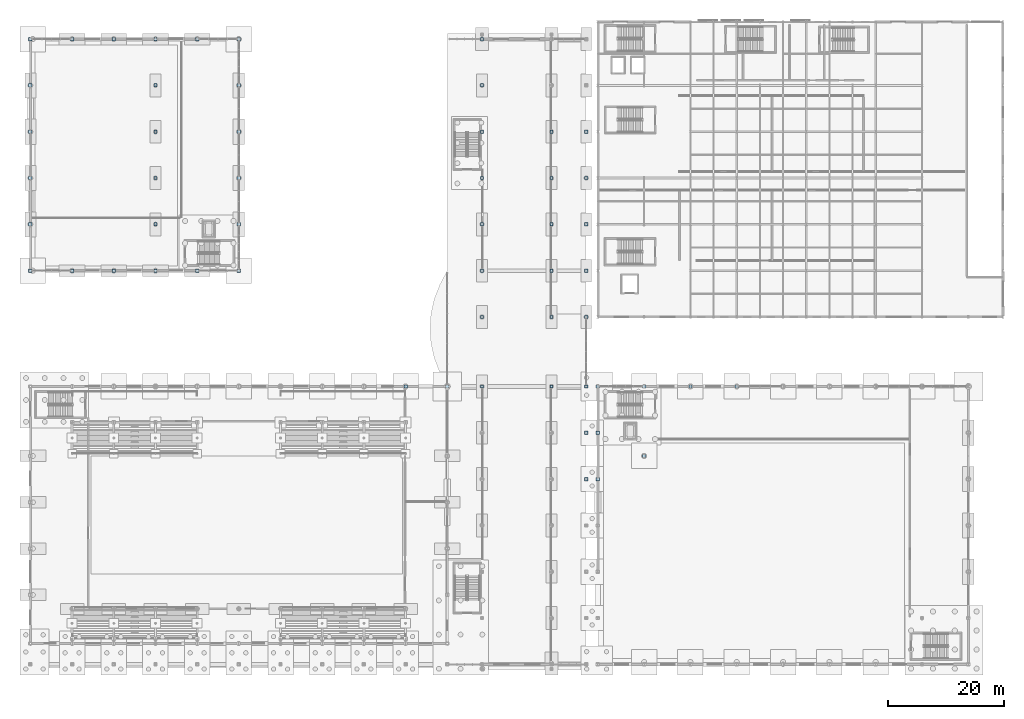
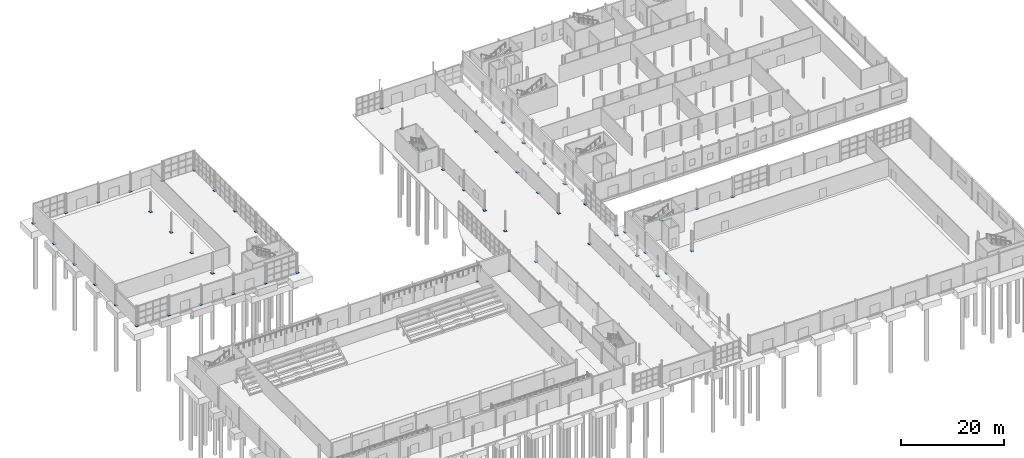
# One storey, part 71 of 101: 55 plates.
"""IFC4 building model written with IfcOpenShell, lengths in metres."""

from ifc_helpers import new_model, si_unit, derived_unit, direction, frame, origin, origin_2d, place, context, subcontext, project, spatial, rectangle, extrude, material, layer, layer_set, type_object, element, save


model = new_model("IFC4")

# Units and contexts
model_context = context("Model", 3, precision=1e-05, world=origin(), true_north=direction((0.0, 1.0)))
body_context = subcontext(model_context, "Body", "Model", "MODEL_VIEW")
ifc_project = project(units=[si_unit("LENGTHUNIT", "METRE"), si_unit("AREAUNIT", "SQUARE_METRE"), si_unit("VOLUMEUNIT", "CUBIC_METRE"), si_unit("PLANEANGLEUNIT", "RADIAN"), si_unit("MASSUNIT", "GRAM", prefix="KILO"), derived_unit("THERMALTRANSMITTANCEUNIT", [(si_unit("POWERUNIT", "WATT"), 1), (si_unit("LENGTHUNIT", "METRE"), -2), (si_unit("THERMODYNAMICTEMPERATUREUNIT", "KELVIN"), -1)])], contexts=[model_context])

# Site, building, storey
site_placement = place(None, origin())
site = spatial("IfcSite", under=ifc_project, at=site_placement, CompositionType="ELEMENT")
building_placement = place(site_placement, origin())
building = spatial("IfcBuilding", under=site, at=building_placement, Name="Keldorne Ridge Multi-Sports Centre", CompositionType="ELEMENT")
storey_placement = place(building_placement, origin())
storey = spatial("IfcBuildingStorey", under=building, at=storey_placement, Name="L00", CompositionType="ELEMENT", Elevation=0.0)

# Plates
ifc_material = material(Name="Steel S355", Category="steel")
ifc_layer_1 = layer(ifc_material, 0.031982421875)
ifc_layer_set_1 = layer_set([ifc_layer_1], Name="Steel S355")
plate_type_1 = type_object("IfcPlateType", Name="PLT-PL-BP1", PredefinedType="USERDEFINED", material=ifc_layer_set_1)
for number, where, z_axis, x_axis, name in (
    (1, (27.60009765625, 82.0, 0.0), (0.0, 0.0, 1.0), (1.0, 0.0, 0.0), "Column baseplate V3-GAL-02"),
    (2, (27.60009765625, 90.0, 0.0), (0.0, 0.0, 1.0), (1.0, 0.0, 0.0), "Column baseplate V3-GAL-03"),
    (3, (27.60009765625, 98.0, 0.0), (0.0, 0.0, 1.0), (1.0, 0.0, 0.0), "Column baseplate V3-GAL-04"),
    (4, (27.60009765625, 106.0, 0.0), (0.0, 0.0, 1.0), (1.0, 0.0, 0.0), "Column baseplate V3-GAL-05"),
    (5, (102.0, 38.0, 0.0), (0.0, 0.0, 1.0), (1.0, 0.0, 0.0), "Column baseplate V4-G15-05"),
    (6, (102.0, 46.0, 0.0), (0.0, 0.0, 1.0), (1.0, 0.0, 0.0), "Column baseplate V4-G15-06"),
    (7, (84.0, 54.0, 0.0), (0.0, 0.0, 1.0), (1.0, 0.0, 0.0), "Column baseplate V4-G12-07"),
    (8, (96.0, 54.0, 0.0), (0.0, 0.0, 1.0), (1.0, 0.0, 0.0), "Column baseplate V4-G14-07"),
    (9, (102.0, 54.0, 0.0), (0.0, 0.0, 1.0), (1.0, 0.0, 0.0), "Column baseplate V4-G15-07"),
    (10, (84.0, 66.0, 0.0), (0.0, 0.0, 1.0), (1.0, 0.0, 0.0), "Column baseplate V4-G12-08"),
    (11, (96.0, 66.0, 0.0), (0.0, 0.0, 1.0), (1.0, 0.0, 0.0), "Column baseplate V4-G14-08"),
    (12, (102.0, 66.0, 0.0), (0.0, 0.0, 1.0), (1.0, 0.0, 0.0), "Column baseplate V4-G15-08"),
    (13, (84.0, 74.0, 0.0), (0.0, 0.0, 1.0), (1.0, 0.0, 0.0), "Column baseplate V4-G12-09"),
    (14, (96.0, 74.0, 0.0), (0.0, 0.0, 1.0), (1.0, 0.0, 0.0), "Column baseplate V4-G14-09"),
    (15, (102.0, 74.0, 0.0), (0.0, 0.0, 1.0), (1.0, 0.0, 0.0), "Column baseplate V4-G15-09"),
    (16, (84.0, 82.0, 0.0), (0.0, 0.0, 1.0), (1.0, 0.0, 0.0), "Column baseplate V4-G12-10"),
    (17, (96.0, 82.0, 0.0), (0.0, 0.0, 1.0), (1.0, 0.0, 0.0), "Column baseplate V4-G14-10"),
    (18, (102.0, 82.0, 0.0), (0.0, 0.0, 1.0), (1.0, 0.0, 0.0), "Column baseplate V4-G15-10"),
    (19, (84.0, 90.0, 0.0), (0.0, 0.0, 1.0), (1.0, 0.0, 0.0), "Column baseplate V4-G12-11"),
    (20, (96.0, 90.0, 0.0), (0.0, 0.0, 1.0), (1.0, 0.0, 0.0), "Column baseplate V4-G14-11"),
    (21, (102.0, 90.0, 0.0), (0.0, 0.0, 1.0), (1.0, 0.0, 0.0), "Column baseplate V4-G15-11"),
    (22, (84.0, 98.0, 0.0), (0.0, 0.0, 1.0), (1.0, 0.0, 0.0), "Column baseplate V4-G12-12"),
    (23, (96.0, 98.0, 0.0), (0.0, 0.0, 1.0), (1.0, 0.0, 0.0), "Column baseplate V4-G14-12"),
    (24, (102.0, 98.0, 0.0), (0.0, 0.0, 1.0), (1.0, 0.0, 0.0), "Column baseplate V4-G15-12"),
    (25, (84.0, 106.0, 0.0), (0.0, 0.0, 1.0), (1.0, 0.0, 0.0), "Column baseplate V4-G12-13"),
    (26, (112.0, 42.0, 0.0), (0.0, 0.0, 1.0), (1.0, 0.0, 0.0), "Column baseplate V2-C4-ANCH"),
):
    element("IfcPlate", number, at=place(storey_placement, frame(where, z_axis=z_axis, x_axis=x_axis)), inside=storey, type_object=plate_type_1, Name=name, ObjectType="GUSSET PLATE", PredefinedType="USERDEFINED", context=body_context, shape_type="SweptSolid", body=[
        extrude(rectangle(XDim=0.580078125, YDim=0.580078125, at=origin_2d()), origin(), (0.0, 0.0, 1.0), 0.031982421875),
    ])
ifc_layer_2 = layer(ifc_material, 0.0400390625)
ifc_layer_set_2 = layer_set([ifc_layer_2], Name="Steel S355")
plate_type_2 = type_object("IfcPlateType", Name="PLT-PL-BP2", PredefinedType="USERDEFINED", material=ifc_layer_set_2)
for number, where, z_axis, x_axis, name in (
    (27, (70.800048828125, 54.0, 0.0), (0.0, 0.0, 1.0), (1.0, 0.0, 0.0), "Column baseplate V1-HALL-N-10"),
    (28, (78.0, 54.0, 0.0), (0.0, 0.0, 1.0), (1.0, 0.0, 0.0), "Column baseplate V1-HALL-N-11"),
    (29, (6.0, 74.0, 0.0), (0.0, 0.0, 1.0), (1.0, 0.0, 0.0), "Column baseplate V3-PER-S-01"),
    (30, (6.0, 114.0, 0.0), (0.0, 0.0, 1.0), (1.0, 0.0, 0.0), "Column baseplate V3-PER-N-01"),
    (31, (13.199951171875, 74.0, 0.0), (0.0, 0.0, 1.0), (1.0, 0.0, 0.0), "Column baseplate V3-PER-S-02"),
    (32, (13.199951171875, 114.0, 0.0), (0.0, 0.0, 1.0), (1.0, 0.0, 0.0), "Column baseplate V3-PER-N-02"),
    (33, (20.39990234375, 74.0, 0.0), (0.0, 0.0, 1.0), (1.0, 0.0, 0.0), "Column baseplate V3-PER-S-03"),
    (34, (20.39990234375, 114.0, 0.0), (0.0, 0.0, 1.0), (1.0, 0.0, 0.0), "Column baseplate V3-PER-N-03"),
    (35, (27.60009765625, 74.0, 0.0), (0.0, 0.0, 1.0), (1.0, 0.0, 0.0), "Column baseplate V3-PER-S-04"),
    (36, (27.60009765625, 114.0, 0.0), (0.0, 0.0, 1.0), (1.0, 0.0, 0.0), "Column baseplate V3-PER-N-04"),
    (37, (34.800048828125, 74.0, 0.0), (0.0, 0.0, 1.0), (1.0, 0.0, 0.0), "Column baseplate V3-PER-S-05"),
    (38, (34.800048828125, 114.0, 0.0), (0.0, 0.0, 1.0), (1.0, 0.0, 0.0), "Column baseplate V3-PER-N-05"),
    (39, (42.0, 74.0, 0.0), (0.0, 0.0, 1.0), (1.0, 0.0, 0.0), "Column baseplate V3-PER-S-06"),
    (40, (42.0, 114.0, 0.0), (0.0, 0.0, 1.0), (1.0, 0.0, 0.0), "Column baseplate V3-PER-N-06"),
    (41, (6.0, 82.0, 0.0), (0.0, 0.0, 1.0), (1.0, 0.0, 0.0), "Column baseplate V3-SIDE-W-02"),
    (42, (42.0, 82.0, 0.0), (0.0, 0.0, 1.0), (1.0, 0.0, 0.0), "Column baseplate V3-SIDE-E-02"),
    (43, (6.0, 90.0, 0.0), (0.0, 0.0, 1.0), (1.0, 0.0, 0.0), "Column baseplate V3-SIDE-W-03"),
    (44, (42.0, 90.0, 0.0), (0.0, 0.0, 1.0), (1.0, 0.0, 0.0), "Column baseplate V3-SIDE-E-03"),
    (45, (6.0, 98.0, 0.0), (0.0, 0.0, 1.0), (1.0, 0.0, 0.0), "Column baseplate V3-SIDE-W-04"),
    (46, (42.0, 98.0, 0.0), (0.0, 0.0, 1.0), (1.0, 0.0, 0.0), "Column baseplate V3-SIDE-E-04"),
    (47, (6.0, 106.0, 0.0), (0.0, 0.0, 1.0), (1.0, 0.0, 0.0), "Column baseplate V3-SIDE-W-05"),
    (48, (42.0, 106.0, 0.0), (0.0, 0.0, 1.0), (1.0, 0.0, 0.0), "Column baseplate V3-SIDE-E-05"),
    (49, (84.0, 114.0, 0.0), (0.0, 0.0, 1.0), (1.0, 0.0, 0.0), "Column baseplate V4-G12-14"),
    (50, (104.0, 54.0, 0.0), (0.0, 0.0, 1.0), (1.0, 0.0, 0.0), "Column baseplate V2-TRUSS-N-01"),
    (51, (112.0, 54.0, 0.0), (0.0, 0.0, 1.0), (1.0, 0.0, 0.0), "Column baseplate V2-TRUSS-N-02"),
    (52, (120.0, 54.0, 0.0), (0.0, 0.0, 1.0), (1.0, 0.0, 0.0), "Column baseplate V2-TRUSS-N-03"),
    (53, (128.0, 54.0, 0.0), (0.0, 0.0, 1.0), (1.0, 0.0, 0.0), "Column baseplate V2-TRUSS-N-04"),
    (54, (104.0, 38.0, 0.0), (0.0, 0.0, 1.0), (1.0, 0.0, 0.0), "Column baseplate V2-GABLE-W-04"),
    (55, (104.0, 46.0, 0.0), (0.0, 0.0, 1.0), (1.0, 0.0, 0.0), "Column baseplate V2-GABLE-W-05"),
):
    element("IfcPlate", number, at=place(storey_placement, frame(where, z_axis=z_axis, x_axis=x_axis)), inside=storey, type_object=plate_type_2, Name=name, ObjectType="GUSSET PLATE", PredefinedType="USERDEFINED", context=body_context, shape_type="SweptSolid", body=[
        extrude(rectangle(XDim=0.580078125, YDim=0.580078125, at=origin_2d()), origin(), (0.0, 0.0, 1.0), 0.0400390625),
    ])

save(model, "model.ifc")
